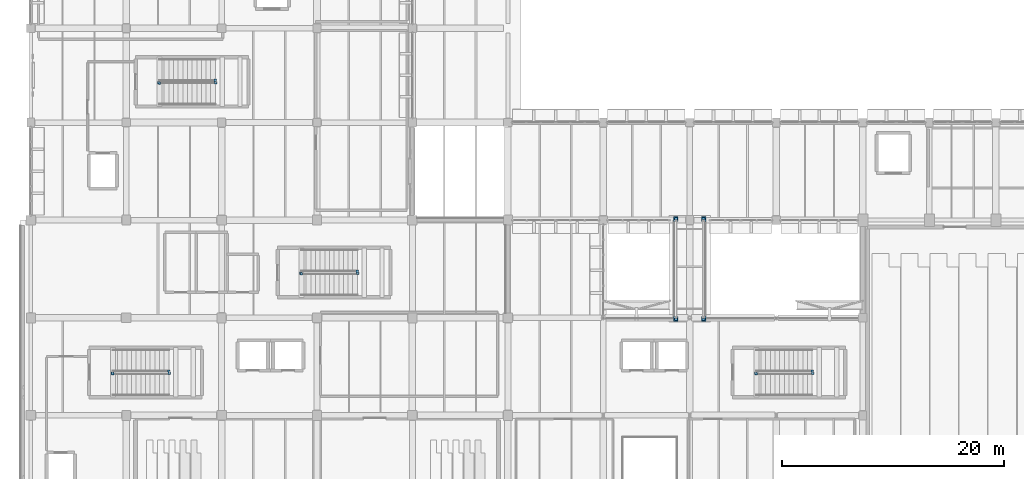
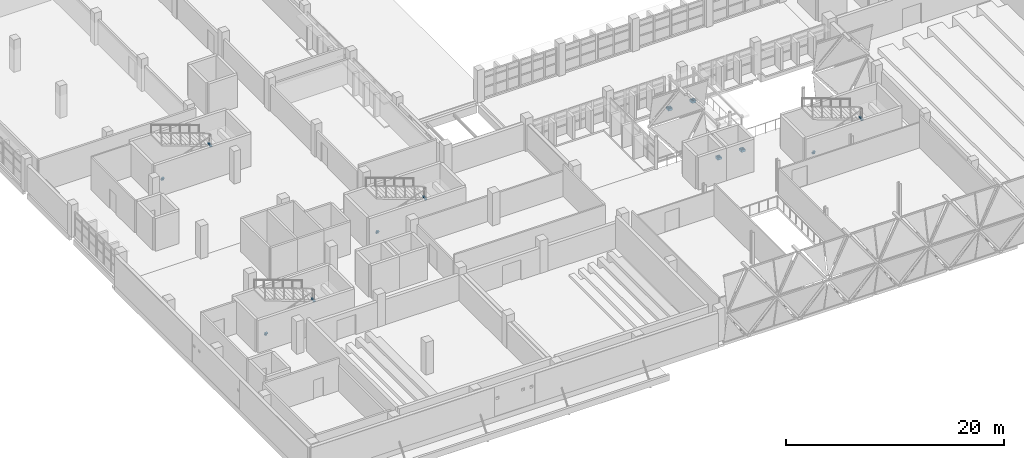
# One storey, part 67 of 80: 24 discrete accessories.
"""IFC4 building model written with IfcOpenShell, lengths in metres."""

from ifc_helpers import new_model, si_unit, direction, frame, origin, origin_2d, place, context, subcontext, project, spatial, rectangle, extrude, material, type_object, element, save


model = new_model("IFC4")

# Units and contexts
model_context = context("Model", 3, precision=1e-05, world=origin(), true_north=direction((0.0, 1.0)))
body_context = subcontext(model_context, "Body", "Model", "MODEL_VIEW")
ifc_project = project(units=[si_unit("LENGTHUNIT", "METRE"), si_unit("AREAUNIT", "SQUARE_METRE"), si_unit("VOLUMEUNIT", "CUBIC_METRE"), si_unit("PLANEANGLEUNIT", "RADIAN"), si_unit("MASSUNIT", "GRAM", prefix="KILO")], contexts=[model_context])

# Site, building, storey
site_placement = place(None, origin())
site = spatial("IfcSite", under=ifc_project, at=site_placement, CompositionType="ELEMENT")
building_placement = place(site_placement, origin())
building = spatial("IfcBuilding", under=site, at=building_placement, Name="Varnakota Cinema and Media Centre", CompositionType="ELEMENT")
storey_placement = place(building_placement, frame((0.0, 0.0, 4.5)))
storey = spatial("IfcBuildingStorey", under=building, at=storey_placement, Name="L01", CompositionType="ELEMENT", Elevation=4.5)

# Discrete accessories
ifc_material_1 = material(Name="Structural steel Grade 350 (E350)", Category="steel")
discrete_accessory_type_1 = type_object("IfcDiscreteAccessoryType", Name="ACC-BRACKET-SG", PredefinedType="BRACKET", material=ifc_material_1)
for number, where, z_axis, x_axis, name in (
    (1, (7.39990234375, 21.35009765625, 0.06005859375), (0.0, 0.0, 1.0), (1.0, 0.0, 0.0), "L01 stair guard base bracket ST-01-L01-G1"),
    (2, (12.489990234375, 21.39990234375, 1.85986328125), (0.0, 0.0, 1.0), (1.0, 0.0, 0.0), "L01 stair guard base bracket ST-01-L01-G2"),
    (3, (12.43994140625, 21.60009765625, 2.01025390625), (0.0, 0.0, 1.0), (1.0, 0.0, 0.0), "L01 stair guard base bracket ST-01-L01-G3"),
    (4, (7.35009765625, 21.39990234375, -0.08984375), (0.0, 0.0, 1.0), (1.0, 0.0, 0.0), "L01 stair guard base bracket ST-01-L01-G4"),
    (5, (24.39990234375, 30.35009765625, 0.06005859375), (0.0, 0.0, 1.0), (1.0, 0.0, 0.0), "L01 stair guard base bracket ST-02-L01-G1"),
    (6, (29.489990234375, 30.39990234375, 1.85986328125), (0.0, 0.0, 1.0), (1.0, 0.0, 0.0), "L01 stair guard base bracket ST-02-L01-G2"),
    (7, (29.43994140625, 30.60009765625, 2.01025390625), (0.0, 0.0, 1.0), (1.0, 0.0, 0.0), "L01 stair guard base bracket ST-02-L01-G3"),
    (8, (24.35009765625, 30.39990234375, -0.08984375), (0.0, 0.0, 1.0), (1.0, 0.0, 0.0), "L01 stair guard base bracket ST-02-L01-G4"),
    (9, (11.60009765625, 47.550048828125, 0.06005859375), (0.0, 0.0, 1.0), (1.0, 0.0, 0.0), "L01 stair guard base bracket ST-03-L01-G1"),
    (10, (16.68994140625, 47.60009765625, 1.85986328125), (0.0, 0.0, 1.0), (1.0, 0.0, 0.0), "L01 stair guard base bracket ST-03-L01-G2"),
    (11, (16.639892578125, 47.800048828125, 2.01025390625), (0.0, 0.0, 1.0), (1.0, 0.0, 0.0), "L01 stair guard base bracket ST-03-L01-G3"),
    (12, (11.550048828125, 47.60009765625, -0.08984375), (0.0, 0.0, 1.0), (1.0, 0.0, 0.0), "L01 stair guard base bracket ST-03-L01-G4"),
    (13, (65.39990234375, 21.35009765625, 0.06005859375), (0.0, 0.0, 1.0), (1.0, 0.0, 0.0), "L01 stair guard base bracket ST-04-L01-G1"),
    (14, (70.489990234375, 21.39990234375, 1.85986328125), (0.0, 0.0, 1.0), (1.0, 0.0, 0.0), "L01 stair guard base bracket ST-04-L01-G2"),
    (15, (70.43994140625, 21.60009765625, 2.01025390625), (0.0, 0.0, 1.0), (1.0, 0.0, 0.0), "L01 stair guard base bracket ST-04-L01-G3"),
    (16, (65.35009765625, 21.39990234375, -0.08984375), (0.0, 0.0, 1.0), (1.0, 0.0, 0.0), "L01 stair guard base bracket ST-04-L01-G4"),
):
    element("IfcDiscreteAccessory", number, at=place(storey_placement, frame(where, z_axis=z_axis, x_axis=x_axis)), inside=storey, type_object=discrete_accessory_type_1, Name=name, PredefinedType="BRACKET", context=body_context, shape_type="SweptSolid", body=[
        extrude(rectangle(XDim=0.219970703125, YDim=0.219970703125, at=origin_2d()), origin(), (0.0, 0.0, 1.0), 0.139892578125),
    ])
ifc_material_2 = material(Name="Structural steel Grade 350 (E350)", Category="steel")
discrete_accessory_type_2 = type_object("IfcDiscreteAccessoryType", Name="ACC-PTFE-SLIDE-200", PredefinedType="BRACKET", material=ifc_material_2)
for number, where, z_axis, x_axis, name in (
    (17, (58.14990234375, 26.27490234375, -0.842529296875), (0.0, 0.0, 1.0), (1.0, 0.0, 0.0), "L01 Chowk sky-bridge BR1 unguided PTFE sliding bearing 1.1 (450 mm seat)"),
    (18, (58.14990234375, 35.324951171875, -0.842529296875), (0.0, 0.0, 1.0), (1.0, 0.0, 0.0), "L01 Chowk sky-bridge BR1 unguided PTFE sliding bearing 1.2 (450 mm seat)"),
    (19, (60.64990234375, 26.27490234375, -0.842529296875), (0.0, 0.0, 1.0), (1.0, 0.0, 0.0), "L01 Chowk sky-bridge BR1 unguided PTFE sliding bearing 2.1 (450 mm seat)"),
    (20, (60.64990234375, 35.324951171875, -0.842529296875), (0.0, 0.0, 1.0), (1.0, 0.0, 0.0), "L01 Chowk sky-bridge BR1 unguided PTFE sliding bearing 2.2 (450 mm seat)"),
):
    element("IfcDiscreteAccessory", number, at=place(storey_placement, frame(where, z_axis=z_axis, x_axis=x_axis)), inside=storey, type_object=discrete_accessory_type_2, Name=name, PredefinedType="BRACKET", context=body_context, shape_type="SweptSolid", body=[
        extrude(rectangle(XDim=0.25, YDim=0.199951171875, at=origin_2d()), origin(), (0.0, 0.0, 1.0), 0.044921875),
    ])
ifc_material_3 = material(Name="Concrete M40", Category="concrete")
discrete_accessory_type_3 = type_object("IfcDiscreteAccessoryType", Name="ACC-RC-CORBEL-450", PredefinedType="BRACKET", material=ifc_material_3)
for number, where, z_axis, x_axis, name in (
    (21, (58.14990234375, 26.27490234375, -1.090087890625), (0.0, 0.0, 1.0), (1.0, 0.0, 0.0), "L01 Chowk sky-bridge BR1 450 mm Concrete M40 bearing corbel seat 1.1"),
    (22, (58.14990234375, 35.324951171875, -1.090087890625), (0.0, 0.0, 1.0), (1.0, 0.0, 0.0), "L01 Chowk sky-bridge BR1 450 mm Concrete M40 bearing corbel seat 1.2"),
    (23, (60.64990234375, 26.27490234375, -1.090087890625), (0.0, 0.0, 1.0), (1.0, 0.0, 0.0), "L01 Chowk sky-bridge BR1 450 mm Concrete M40 bearing corbel seat 2.1"),
    (24, (60.64990234375, 35.324951171875, -1.090087890625), (0.0, 0.0, 1.0), (1.0, 0.0, 0.0), "L01 Chowk sky-bridge BR1 450 mm Concrete M40 bearing corbel seat 2.2"),
):
    element("IfcDiscreteAccessory", number, at=place(storey_placement, frame(where, z_axis=z_axis, x_axis=x_axis)), inside=storey, type_object=discrete_accessory_type_3, Name=name, PredefinedType="BRACKET", context=body_context, shape_type="SweptSolid", body=[
        extrude(rectangle(XDim=0.419921875, YDim=0.449951171875, at=origin_2d()), origin(), (0.0, 0.0, 1.0), 0.25),
    ])

save(model, "model.ifc")
